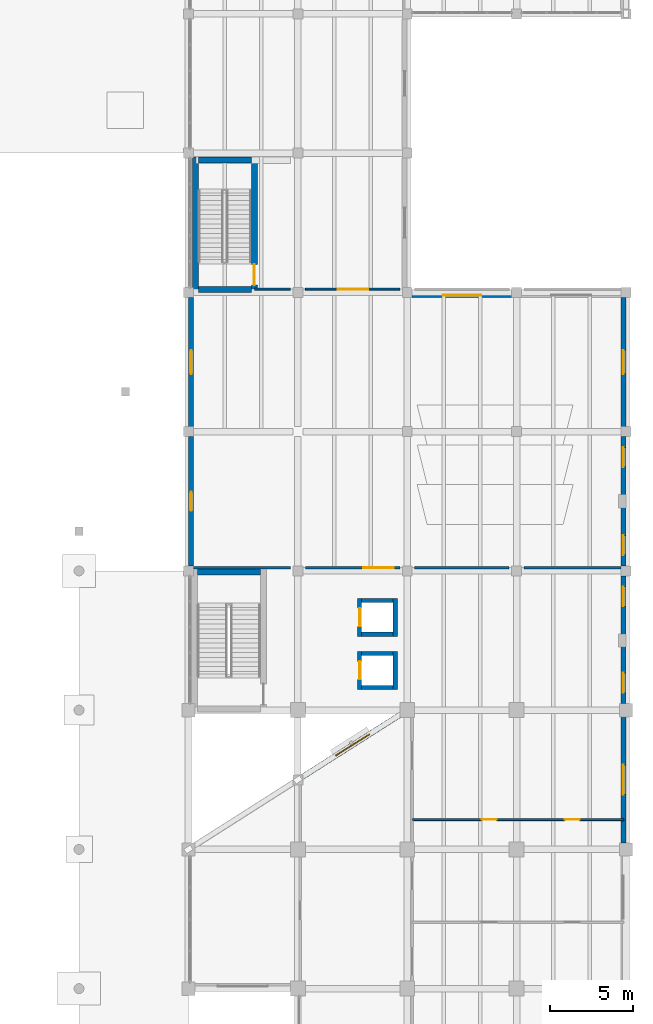
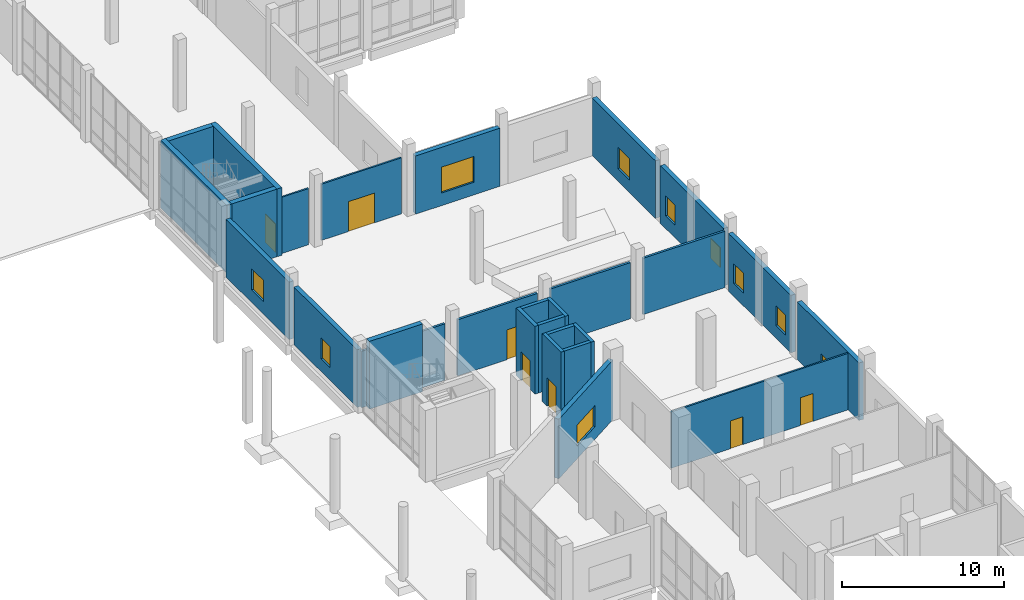
# One storey, part 48 of 64: 28 walls, 9 windows, 8 doors, 17 openings.
"""IFC4 building model written with IfcOpenShell, lengths in metres."""

from ifc_helpers import new_model, si_unit, direction, frame, frame_2d, origin, place, context, subcontext, project, spatial, rectangle, extrude, material, layer, layer_set, type_object, element, fill, save


model = new_model("IFC4")

# Units and contexts
model_context = context("Model", 3, precision=1e-05, world=origin(), true_north=direction((0.0, 1.0)))
body_context = subcontext(model_context, "Body", "Model", "MODEL_VIEW")
ifc_project = project(units=[si_unit("LENGTHUNIT", "METRE"), si_unit("AREAUNIT", "SQUARE_METRE"), si_unit("VOLUMEUNIT", "CUBIC_METRE"), si_unit("PLANEANGLEUNIT", "RADIAN"), si_unit("MASSUNIT", "GRAM", prefix="KILO")], contexts=[model_context])

# Site, building, storey
site_placement = place(None, origin())
site = spatial("IfcSite", under=ifc_project, at=site_placement, CompositionType="ELEMENT")
building_placement = place(site_placement, origin())
building = spatial("IfcBuilding", under=site, at=building_placement, Name="Qaldarim Faculty of Natural and Applied Sciences", CompositionType="ELEMENT")
storey_placement = place(building_placement, origin())
storey = spatial("IfcBuildingStorey", under=building, at=storey_placement, Name="L00", CompositionType="ELEMENT", Elevation=0.0)

# Wall
ifc_material_1 = material(Name="Painted gypsum partition board")
ifc_layer_1 = layer(ifc_material_1, 0.1201171875)
ifc_layer_set_1 = layer_set([ifc_layer_1], Name="Painted gypsum partition board")
wall_type_1 = type_object("IfcWallType", Name="AcousticPartition-120", PredefinedType="PARTITIONING", material=ifc_layer_set_1)
wall_1_placement = place(storey_placement, frame((155.800048828125, 84.199951171875, 0.0), z_axis=(0.0, 0.0, 1.0), x_axis=(1.0, 0.0, 0.0)))
element("IfcWall", 1, at=wall_1_placement, inside=storey, type_object=wall_type_1, Name="Interior partition PRT-L00-V3-EXHS-S1", PredefinedType="PARTITIONING", context=body_context, shape_type="SweptSolid", body=[
    extrude(rectangle(XDim=2.14990234375, YDim=0.1201171875, at=frame_2d((1.074951171875, 0.0))), origin(), (0.0, 0.0, 1.0), 4.235107421875),
])

# Wall, opening, door
wall_2_placement = place(storey_placement, frame((158.85009765625, 84.199951171875, 0.0), z_axis=(0.0, 0.0, 1.0), x_axis=(1.0, 0.0, 0.0)))
wall_2 = element("IfcWall", 2, at=wall_2_placement, inside=storey, type_object=wall_type_1, Name="Interior partition PRT-L00-V3-EXHS-S2", PredefinedType="PARTITIONING", context=body_context, shape_type="SweptSolid", body=[
    extrude(rectangle(XDim=5.699951171875, YDim=0.1201171875, at=frame_2d((2.85009765625, 0.0))), origin(), (0.0, 0.0, 1.0), 4.235107421875),
])
opening_1_placement = place(wall_2_placement, frame((1.949951171875, 0.0, 0.0)))
opening_1 = element("IfcOpeningElement", 3, at=opening_1_placement, cuts=wall_2, Name="Opening ID05", PredefinedType="OPENING", context=body_context, shape_type="SweptSolid", body=[
    extrude(rectangle(XDim=1.85009765625, YDim=2.25, at=frame_2d((0.925048828125, 1.125))), frame((0.0, 0.070068359375, 0.0), z_axis=(0.0, -1.0, 0.0), x_axis=(1.0, 0.0, 0.0)), (0.0, 0.0, 1.0), 0.14013671875),
])
ifc_material_2 = material(Name="Oak hardwood", Category="wood")
door_type_1 = type_object("IfcDoorType", Name="LectureDoubleDoor-1850x2250", OperationType="NOTDEFINED", PredefinedType="DOOR", material=ifc_material_2)
door_1_placement = place(opening_1_placement, origin())
door_1 = element("IfcDoor", 4, at=door_1_placement, inside=storey, type_object=door_type_1, Name="Interior door D-L00-176", OperationType="DOUBLE_DOOR_SINGLE_SWING", OverallHeight=2.25, OverallWidth=1.85009765625, PredefinedType="DOOR", context=body_context, shape_type="SweptSolid", body=[
    extrude(rectangle(XDim=1.85009765625, YDim=2.25, at=frame_2d((0.925048828125, 1.125))), frame((0.0, 0.02490234375, 0.0), z_axis=(0.0, -1.0, 0.0), x_axis=(1.0, 0.0, 0.0)), (0.0, 0.0, 1.0), 0.050048828125),
])
fill(opening_1, door_1)

# Wall, openings, doors
wall_3_placement = place(storey_placement, frame((165.300048828125, 52.199951171875, 0.0), z_axis=(0.0, 0.0, 1.0), x_axis=(1.0, 0.0, 0.0)))
wall_3 = element("IfcWall", 5, at=wall_3_placement, inside=storey, type_object=wall_type_1, Name="Interior partition PRT-L00-V5-SUB-3", PredefinedType="PARTITIONING", context=body_context, shape_type="SweptSolid", body=[
    extrude(rectangle(XDim=12.75, YDim=0.1201171875, at=frame_2d((6.375, 0.0))), origin(), (0.0, 0.0, 1.0), 4.25),
])
opening_2_placement = place(wall_3_placement, frame((4.199951171875, 0.0, 0.0)))
opening_2 = element("IfcOpeningElement", 6, at=opening_2_placement, cuts=wall_3, Name="Opening ID07", PredefinedType="OPENING", context=body_context, shape_type="SweptSolid", body=[
    extrude(rectangle(XDim=0.89990234375, YDim=2.10009765625, at=frame_2d((0.449951171875, 1.050048828125))), frame((0.0, 0.070068359375, 0.0), z_axis=(0.0, -1.0, 0.0), x_axis=(1.0, 0.0, 0.0)), (0.0, 0.0, 1.0), 0.14013671875),
])
opening_3_placement = place(wall_3_placement, frame((9.199951171875, 0.0, 0.0)))
opening_3 = element("IfcOpeningElement", 7, at=opening_3_placement, cuts=wall_3, Name="Opening ID07", PredefinedType="OPENING", context=body_context, shape_type="SweptSolid", body=[
    extrude(rectangle(XDim=0.89990234375, YDim=2.10009765625, at=frame_2d((0.449951171875, 1.050048828125))), frame((0.0, 0.070068359375, 0.0), z_axis=(0.0, -1.0, 0.0), x_axis=(1.0, 0.0, 0.0)), (0.0, 0.0, 1.0), 0.14013671875),
])
door_type_2 = type_object("IfcDoorType", Name="OfficeStudyDoor-900x2100", OperationType="NOTDEFINED", PredefinedType="DOOR", material=ifc_material_2)
door_2_placement = place(opening_2_placement, origin())
door_2 = element("IfcDoor", 8, at=door_2_placement, inside=storey, type_object=door_type_2, Name="Interior door D-L00-306", OperationType="SINGLE_SWING_LEFT", OverallHeight=2.10009765625, OverallWidth=0.89990234375, PredefinedType="DOOR", context=body_context, shape_type="SweptSolid", body=[
    extrude(rectangle(XDim=0.89990234375, YDim=2.10009765625, at=frame_2d((0.449951171875, 1.050048828125))), frame((0.0, 0.02490234375, 0.0), z_axis=(0.0, -1.0, 0.0), x_axis=(1.0, 0.0, 0.0)), (0.0, 0.0, 1.0), 0.050048828125),
])
fill(opening_2, door_2)
door_3_placement = place(opening_3_placement, origin())
door_3 = element("IfcDoor", 9, at=door_3_placement, inside=storey, type_object=door_type_2, Name="Interior door D-L00-307", OperationType="SINGLE_SWING_RIGHT", OverallHeight=2.10009765625, OverallWidth=0.89990234375, PredefinedType="DOOR", context=body_context, shape_type="SweptSolid", body=[
    extrude(rectangle(XDim=0.89990234375, YDim=2.10009765625, at=frame_2d((0.449951171875, 1.050048828125))), frame((0.0, 0.02490234375, 0.0), z_axis=(0.0, -1.0, 0.0), x_axis=(1.0, 0.0, 0.0)), (0.0, 0.0, 1.0), 0.050048828125),
])
fill(opening_3, door_3)

# Walls
ifc_material_3 = material(Name="Concrete C50/60", Category="concrete")
ifc_layer_2 = layer(ifc_material_3, 0.360107421875)
ifc_layer_set_2 = layer_set([ifc_layer_2], Name="Concrete C50/60")
wall_type_2 = type_object("IfcWallType", Name="CoreShearWall-360", PredefinedType="SHEAR", material=ifc_layer_set_2)
wall_4_placement = place(storey_placement, frame((152.35009765625, 67.1298828125, 0.0), z_axis=(0.0, 0.0, 1.0), x_axis=(1.0, 0.0, 0.0)))
element("IfcWall", 10, at=wall_4_placement, inside=storey, type_object=wall_type_2, Name="Core stair ST-C1 north shear wall L00", PredefinedType="SHEAR", context=body_context, shape_type="SweptSolid", body=[
    extrude(rectangle(XDim=3.7998046875, YDim=0.360107421875, at=frame_2d((1.89990234375, 0.0))), origin(), (0.0, 0.0, 1.0), 5.10009765625),
])
wall_5_placement = place(storey_placement, frame((152.219970703125, 83.989990234375, 0.0), z_axis=(0.0, 0.0, 1.0), x_axis=(0.0, 1.0, 0.0)))
element("IfcWall", 11, at=wall_5_placement, inside=storey, type_object=wall_type_2, Name="Core stair ST-C2 west shear wall L00", PredefinedType="SHEAR", context=body_context, shape_type="SweptSolid", body=[
    extrude(rectangle(XDim=8.169921875, YDim=0.360107421875, at=frame_2d((4.0849609375, 0.0))), origin(), (0.0, 0.0, 1.0), 5.10009765625),
])

# Wall, opening, door
wall_6_placement = place(storey_placement, frame((155.780029296875, 83.989990234375, 0.0), z_axis=(0.0, 0.0, 1.0), x_axis=(0.0, 1.0, 0.0)))
wall_6 = element("IfcWall", 12, at=wall_6_placement, inside=storey, type_object=wall_type_2, Name="Core stair ST-C2 east shear wall L00", PredefinedType="SHEAR", context=body_context, shape_type="SweptSolid", body=[
    extrude(rectangle(XDim=8.169921875, YDim=0.360107421875, at=frame_2d((4.0849609375, 0.0))), origin(), (0.0, 0.0, 1.0), 5.10009765625),
])
opening_4_placement = place(wall_6_placement, frame((0.449951171875, 0.0, 0.0)))
opening_4 = element("IfcOpeningElement", 13, at=opening_4_placement, cuts=wall_6, Name="Opening ID04", PredefinedType="OPENING", context=body_context, shape_type="SweptSolid", body=[
    extrude(rectangle(XDim=1.25, YDim=2.14990234375, at=frame_2d((0.625, 1.074951171875))), frame((0.0, 0.18994140625, 0.0), z_axis=(0.0, -1.0, 0.0), x_axis=(1.0, 0.0, 0.0)), (0.0, 0.0, 1.0), 0.380126953125),
])
ifc_material_4 = material(Name="Architectural stainless steel 316", Category="steel")
door_type_3 = type_object("IfcDoorType", Name="StairEnclosureFireDoor-1250x2150", OperationType="NOTDEFINED", PredefinedType="DOOR", material=ifc_material_4)
door_4_placement = place(opening_4_placement, origin())
door_4 = element("IfcDoor", 14, at=door_4_placement, inside=storey, type_object=door_type_3, Name="Protected stair ST-C2 fire door D-L00-544", OperationType="SINGLE_SWING_RIGHT", OverallHeight=2.14990234375, OverallWidth=1.25, PredefinedType="DOOR", context=body_context, shape_type="SweptSolid", body=[
    extrude(rectangle(XDim=1.25, YDim=2.14990234375, at=frame_2d((0.625, 1.074951171875))), frame((0.0, 0.02490234375, 0.0), z_axis=(0.0, -1.0, 0.0), x_axis=(1.0, 0.0, 0.0)), (0.0, 0.0, 1.0), 0.050048828125),
])
fill(opening_4, door_4)

# Walls
for number, where, z_axis, x_axis, name in (
    (15, (152.39990234375, 91.97998046875, 0.0), (0.0, 0.0, 1.0), (1.0, 0.0, 0.0), "Core stair ST-C2 north shear wall L00"),
    (16, (152.39990234375, 84.169921875, 0.0), (0.0, 0.0, 1.0), (1.0, 0.0, 0.0), "Core stair ST-C2 south shear wall L00"),
):
    element("IfcWall", number, at=place(storey_placement, frame(where, z_axis=z_axis, x_axis=x_axis)), inside=storey, type_object=wall_type_2, Name=name, PredefinedType="SHEAR", context=body_context, shape_type="SweptSolid", body=[
        extrude(rectangle(XDim=3.2001953125, YDim=0.360107421875, at=frame_2d((1.60009765625, 0.0))), origin(), (0.0, 0.0, 1.0), 5.10009765625),
    ])

# Wall, opening, window
ifc_material_5 = material(Name="Precast concrete C40/50", Category="concrete")
ifc_layer_3 = layer(ifc_material_5, 0.320068359375)
ifc_layer_set_3 = layer_set([ifc_layer_3], Name="Precast concrete C40/50")
wall_type_3 = type_object("IfcWallType", Name="ExteriorLimestoneWall-320", PredefinedType="SOLIDWALL", material=ifc_layer_set_3)
wall_7_placement = place(storey_placement, frame((151.9599609375, 75.304931640625, 0.0), z_axis=(0.0, 0.0, 1.0), x_axis=(0.0, -1.0, 0.0)))
wall_7 = element("IfcWall", 17, at=wall_7_placement, inside=storey, type_object=wall_type_3, Name="Exterior wall EW01 L00 W X24Y09", PredefinedType="SOLIDWALL", context=body_context, shape_type="SweptSolid", body=[
    extrude(rectangle(XDim=7.809814453125, YDim=0.320068359375, at=frame_2d((3.90478515625, 0.0))), origin(), (0.0, 0.0, 1.0), 4.3349609375),
])
opening_5_placement = place(wall_7_placement, frame((3.330078125, 0.0, 0.949951171875)))
opening_5 = element("IfcOpeningElement", 18, at=opening_5_placement, cuts=wall_7, Name="Opening WN31", PredefinedType="OPENING", context=body_context, shape_type="SweptSolid", body=[
    extrude(rectangle(XDim=1.14990234375, YDim=1.60009765625, at=frame_2d((0.574951171875, 0.800048828125))), frame((0.0, 0.169921875, 0.0), z_axis=(0.0, -1.0, 0.0), x_axis=(1.0, 0.0, 0.0)), (0.0, 0.0, 1.0), 0.340087890625),
])
ifc_material_6 = material(Name="Insulated low-e double glazing", Category="glass")
window_type_1 = type_object("IfcWindowType", Name="SeminarWindow-1150x1600", PartitioningType="SINGLE_PANEL", PredefinedType="WINDOW", material=ifc_material_6)
window_1_placement = place(opening_5_placement, origin())
window_1 = element("IfcWindow", 19, at=window_1_placement, inside=storey, type_object=window_type_1, Name="Facade window WN31 L00 W X24Y09", OverallHeight=1.60009765625, OverallWidth=1.14990234375, PartitioningType="SINGLE_PANEL", PredefinedType="WINDOW", context=body_context, shape_type="SweptSolid", body=[
    extrude(rectangle(XDim=1.14990234375, YDim=1.60009765625, at=frame_2d((0.574951171875, 0.800048828125))), frame((0.0, 0.030029296875, 0.0), z_axis=(0.0, -1.0, 0.0), x_axis=(1.0, 0.0, 0.0)), (0.0, 0.0, 1.0), 0.06005859375),
])
fill(opening_5, window_1)

wall_8_placement = place(storey_placement, frame((151.9599609375, 83.705078125, 0.0), z_axis=(0.0, 0.0, 1.0), x_axis=(0.0, -1.0, 0.0)))
wall_8 = element("IfcWall", 20, at=wall_8_placement, inside=storey, type_object=wall_type_3, Name="Exterior wall EW01 L00 W X24Y10", PredefinedType="SOLIDWALL", context=body_context, shape_type="SweptSolid", body=[
    extrude(rectangle(XDim=7.81005859375, YDim=0.320068359375, at=frame_2d((3.905029296875, 0.0))), origin(), (0.0, 0.0, 1.0), 4.3349609375),
])
opening_6_placement = place(wall_8_placement, frame((3.179931640625, 0.0, 0.949951171875)))
opening_6 = element("IfcOpeningElement", 21, at=opening_6_placement, cuts=wall_8, Name="Opening WN32", PredefinedType="OPENING", context=body_context, shape_type="SweptSolid", body=[
    extrude(rectangle(XDim=1.449951171875, YDim=1.60009765625, at=frame_2d((0.72509765625, 0.800048828125))), frame((0.0, 0.169921875, 0.0), z_axis=(0.0, -1.0, 0.0), x_axis=(1.0, 0.0, 0.0)), (0.0, 0.0, 1.0), 0.340087890625),
])
window_type_2 = type_object("IfcWindowType", Name="SeminarWindow-1450x1600", PartitioningType="DOUBLE_PANEL_VERTICAL", PredefinedType="WINDOW", material=ifc_material_6)
window_2_placement = place(opening_6_placement, origin())
window_2 = element("IfcWindow", 22, at=window_2_placement, inside=storey, type_object=window_type_2, Name="Facade window WN32 L00 W X24Y10", OverallHeight=1.60009765625, OverallWidth=1.449951171875, PartitioningType="SINGLE_PANEL", PredefinedType="WINDOW", context=body_context, shape_type="SweptSolid", body=[
    extrude(rectangle(XDim=1.449951171875, YDim=1.60009765625, at=frame_2d((0.72509765625, 0.800048828125))), frame((0.0, 0.030029296875, 0.0), z_axis=(0.0, -1.0, 0.0), x_axis=(1.0, 0.0, 0.0)), (0.0, 0.0, 1.0), 0.06005859375),
])
fill(opening_6, window_2)

wall_9_placement = place(storey_placement, frame((171.304931640625, 83.840087890625, 0.0), z_axis=(0.0, 0.0, 1.0), x_axis=(-1.0, 0.0, 0.0)))
wall_9 = element("IfcWall", 23, at=wall_9_placement, inside=storey, type_object=wall_type_3, Name="Exterior wall EW01 L00 N X26Y10", PredefinedType="SOLIDWALL", context=body_context, shape_type="SweptSolid", body=[
    extrude(rectangle(XDim=6.010009765625, YDim=0.320068359375, at=frame_2d((3.0048828125, 0.0))), origin(), (0.0, 0.0, 1.0), 4.385009765625),
])
opening_7_placement = place(wall_9_placement, frame((1.85498046875, 0.0, 0.949951171875)))
opening_7 = element("IfcOpeningElement", 24, at=opening_7_placement, cuts=wall_9, Name="Opening WN28", PredefinedType="OPENING", context=body_context, shape_type="SweptSolid", body=[
    extrude(rectangle(XDim=2.300048828125, YDim=1.949951171875, at=frame_2d((1.14990234375, 0.97509765625))), frame((0.0, 0.169921875, 0.0), z_axis=(0.0, -1.0, 0.0), x_axis=(1.0, 0.0, 0.0)), (0.0, 0.0, 1.0), 0.340087890625),
])
window_type_3 = type_object("IfcWindowType", Name="GalleryWindow-2300x1950", PartitioningType="TRIPLE_PANEL_VERTICAL", PredefinedType="WINDOW", material=ifc_material_6)
window_3_placement = place(opening_7_placement, origin())
window_3 = element("IfcWindow", 25, at=window_3_placement, inside=storey, type_object=window_type_3, Name="Facade window WN28 L00 N X26Y10", OverallHeight=1.949951171875, OverallWidth=2.300048828125, PartitioningType="SINGLE_PANEL", PredefinedType="WINDOW", context=body_context, shape_type="SweptSolid", body=[
    extrude(rectangle(XDim=2.300048828125, YDim=1.949951171875, at=frame_2d((1.14990234375, 0.97509765625))), frame((0.0, 0.030029296875, 0.0), z_axis=(0.0, -1.0, 0.0), x_axis=(1.0, 0.0, 0.0)), (0.0, 0.0, 1.0), 0.06005859375),
])
fill(opening_7, window_3)

# Wall, opening, door
wall_10_placement = place(storey_placement, frame((178.0400390625, 50.794921875, 0.0), z_axis=(0.0, 0.0, 1.0), x_axis=(0.0, 1.0, 0.0)))
wall_10 = element("IfcWall", 26, at=wall_10_placement, inside=storey, type_object=wall_type_3, Name="Exterior wall EW01 L00 E X27Y07", PredefinedType="SOLIDWALL", context=body_context, shape_type="SweptSolid", body=[
    extrude(rectangle(XDim=7.610107421875, YDim=0.320068359375, at=frame_2d((3.80517578125, 0.0))), origin(), (0.0, 0.0, 1.0), 4.3349609375),
])
opening_8_placement = place(wall_10_placement, frame((2.905029296875, 0.0, 0.0)))
opening_8 = element("IfcOpeningElement", 27, at=opening_8_placement, cuts=wall_10, Name="Opening ED04", PredefinedType="OPENING", context=body_context, shape_type="SweptSolid", body=[
    extrude(rectangle(XDim=1.800048828125, YDim=2.199951171875, at=frame_2d((0.89990234375, 1.10009765625))), frame((0.0, 0.169921875, 0.0), z_axis=(0.0, -1.0, 0.0), x_axis=(1.0, 0.0, 0.0)), (0.0, 0.0, 1.0), 0.340087890625),
])
door_type_4 = type_object("IfcDoorType", Name="FinalExitDoubleDoor-1800x2200", OperationType="NOTDEFINED", PredefinedType="DOOR", material=ifc_material_4)
door_5_placement = place(opening_8_placement, frame((1.800048828125, 0.0, 0.0), z_axis=(0.0, 0.0, 1.0), x_axis=(-1.0, 0.0, 0.0)))
door_5 = element("IfcDoor", 28, at=door_5_placement, inside=storey, type_object=door_type_4, Name="Exterior entrance/exit door D-L00-018", OperationType="DOUBLE_DOOR_SINGLE_SWING", OverallHeight=2.199951171875, OverallWidth=1.800048828125, PredefinedType="DOOR", context=body_context, shape_type="SweptSolid", body=[
    extrude(rectangle(XDim=1.800048828125, YDim=2.199951171875, at=frame_2d((0.89990234375, 1.10009765625))), frame((0.0, 0.02490234375, 0.0), z_axis=(0.0, -1.0, 0.0), x_axis=(1.0, 0.0, 0.0)), (0.0, 0.0, 1.0), 0.050048828125),
])
fill(opening_8, door_5)

# Wall, openings, windows
wall_11_placement = place(storey_placement, frame((178.0400390625, 59.195068359375, 0.0), z_axis=(0.0, 0.0, 1.0), x_axis=(0.0, 1.0, 0.0)))
wall_11 = element("IfcWall", 29, at=wall_11_placement, inside=storey, type_object=wall_type_3, Name="Exterior wall EW01 L00 E X27Y08", PredefinedType="SOLIDWALL", context=body_context, shape_type="SweptSolid", body=[
    extrude(rectangle(XDim=7.7099609375, YDim=0.320068359375, at=frame_2d((3.85498046875, 0.0))), origin(), (0.0, 0.0, 1.0), 4.3349609375),
])
opening_9_placement = place(wall_11_placement, frame((0.64990234375, 0.0, 0.949951171875)))
opening_9 = element("IfcOpeningElement", 30, at=opening_9_placement, cuts=wall_11, Name="Opening WN01", PredefinedType="OPENING", context=body_context, shape_type="SweptSolid", body=[
    extrude(rectangle(XDim=1.199951171875, YDim=1.5, at=frame_2d((0.60009765625, 0.75))), frame((0.0, 0.169921875, 0.0), z_axis=(0.0, -1.0, 0.0), x_axis=(1.0, 0.0, 0.0)), (0.0, 0.0, 1.0), 0.340087890625),
])
opening_10_placement = place(wall_11_placement, frame((5.860107421875, 0.0, 0.949951171875)))
opening_10 = element("IfcOpeningElement", 31, at=opening_10_placement, cuts=wall_11, Name="Opening WN01", PredefinedType="OPENING", context=body_context, shape_type="SweptSolid", body=[
    extrude(rectangle(XDim=1.199951171875, YDim=1.5, at=frame_2d((0.60009765625, 0.75))), frame((0.0, 0.169921875, 0.0), z_axis=(0.0, -1.0, 0.0), x_axis=(1.0, 0.0, 0.0)), (0.0, 0.0, 1.0), 0.340087890625),
])
window_type_4 = type_object("IfcWindowType", Name="Window-1200x1500", PartitioningType="SINGLE_PANEL", PredefinedType="WINDOW", material=ifc_material_6)
window_4_placement = place(opening_9_placement, origin())
window_4 = element("IfcWindow", 32, at=window_4_placement, inside=storey, type_object=window_type_4, Name="Pilaster-bay flanking window L00 E X27Y08-1", OverallHeight=1.5, OverallWidth=1.199951171875, PartitioningType="SINGLE_PANEL", PredefinedType="WINDOW", context=body_context, shape_type="SweptSolid", body=[
    extrude(rectangle(XDim=1.199951171875, YDim=1.5, at=frame_2d((0.60009765625, 0.75))), frame((0.0, 0.030029296875, 0.0), z_axis=(0.0, -1.0, 0.0), x_axis=(1.0, 0.0, 0.0)), (0.0, 0.0, 1.0), 0.06005859375),
])
fill(opening_9, window_4)
window_5_placement = place(opening_10_placement, origin())
window_5 = element("IfcWindow", 33, at=window_5_placement, inside=storey, type_object=window_type_4, Name="Pilaster-bay flanking window L00 E X27Y08-2", OverallHeight=1.5, OverallWidth=1.199951171875, PartitioningType="SINGLE_PANEL", PredefinedType="WINDOW", context=body_context, shape_type="SweptSolid", body=[
    extrude(rectangle(XDim=1.199951171875, YDim=1.5, at=frame_2d((0.60009765625, 0.75))), frame((0.0, 0.030029296875, 0.0), z_axis=(0.0, -1.0, 0.0), x_axis=(1.0, 0.0, 0.0)), (0.0, 0.0, 1.0), 0.06005859375),
])
fill(opening_10, window_5)

wall_12_placement = place(storey_placement, frame((178.0400390625, 67.4951171875, 0.0), z_axis=(0.0, 0.0, 1.0), x_axis=(0.0, 1.0, 0.0)))
wall_12 = element("IfcWall", 34, at=wall_12_placement, inside=storey, type_object=wall_type_3, Name="Exterior wall EW01 L00 E X27Y09", PredefinedType="SOLIDWALL", context=body_context, shape_type="SweptSolid", body=[
    extrude(rectangle(XDim=7.809814453125, YDim=0.320068359375, at=frame_2d((3.90478515625, 0.0))), origin(), (0.0, 0.0, 1.0), 4.3349609375),
])
opening_11_placement = place(wall_12_placement, frame((0.64990234375, 0.0, 0.949951171875)))
opening_11 = element("IfcOpeningElement", 35, at=opening_11_placement, cuts=wall_12, Name="Opening WN01", PredefinedType="OPENING", context=body_context, shape_type="SweptSolid", body=[
    extrude(rectangle(XDim=1.199951171875, YDim=1.5, at=frame_2d((0.60009765625, 0.75))), frame((0.0, 0.169921875, 0.0), z_axis=(0.0, -1.0, 0.0), x_axis=(1.0, 0.0, 0.0)), (0.0, 0.0, 1.0), 0.340087890625),
])
opening_12_placement = place(wall_12_placement, frame((5.9599609375, 0.0, 0.949951171875)))
opening_12 = element("IfcOpeningElement", 36, at=opening_12_placement, cuts=wall_12, Name="Opening WN01", PredefinedType="OPENING", context=body_context, shape_type="SweptSolid", body=[
    extrude(rectangle(XDim=1.199951171875, YDim=1.5, at=frame_2d((0.60009765625, 0.75))), frame((0.0, 0.169921875, 0.0), z_axis=(0.0, -1.0, 0.0), x_axis=(1.0, 0.0, 0.0)), (0.0, 0.0, 1.0), 0.340087890625),
])
window_6_placement = place(opening_11_placement, origin())
window_6 = element("IfcWindow", 37, at=window_6_placement, inside=storey, type_object=window_type_4, Name="Pilaster-bay flanking window L00 E X27Y09-1", OverallHeight=1.5, OverallWidth=1.199951171875, PartitioningType="SINGLE_PANEL", PredefinedType="WINDOW", context=body_context, shape_type="SweptSolid", body=[
    extrude(rectangle(XDim=1.199951171875, YDim=1.5, at=frame_2d((0.60009765625, 0.75))), frame((0.0, 0.030029296875, 0.0), z_axis=(0.0, -1.0, 0.0), x_axis=(1.0, 0.0, 0.0)), (0.0, 0.0, 1.0), 0.06005859375),
])
fill(opening_11, window_6)
window_7_placement = place(opening_12_placement, origin())
window_7 = element("IfcWindow", 38, at=window_7_placement, inside=storey, type_object=window_type_4, Name="Pilaster-bay flanking window L00 E X27Y09-2", OverallHeight=1.5, OverallWidth=1.199951171875, PartitioningType="SINGLE_PANEL", PredefinedType="WINDOW", context=body_context, shape_type="SweptSolid", body=[
    extrude(rectangle(XDim=1.199951171875, YDim=1.5, at=frame_2d((0.60009765625, 0.75))), frame((0.0, 0.030029296875, 0.0), z_axis=(0.0, -1.0, 0.0), x_axis=(1.0, 0.0, 0.0)), (0.0, 0.0, 1.0), 0.06005859375),
])
fill(opening_12, window_7)

# Wall, opening, window
wall_13_placement = place(storey_placement, frame((178.0400390625, 75.89501953125, 0.0), z_axis=(0.0, 0.0, 1.0), x_axis=(0.0, 1.0, 0.0)))
wall_13 = element("IfcWall", 39, at=wall_13_placement, inside=storey, type_object=wall_type_3, Name="Exterior wall EW01 L00 E X27Y10", PredefinedType="SOLIDWALL", context=body_context, shape_type="SweptSolid", body=[
    extrude(rectangle(XDim=7.81005859375, YDim=0.320068359375, at=frame_2d((3.905029296875, 0.0))), origin(), (0.0, 0.0, 1.0), 4.3349609375),
])
opening_13_placement = place(wall_13_placement, frame((3.179931640625, 0.0, 0.949951171875)))
opening_13 = element("IfcOpeningElement", 40, at=opening_13_placement, cuts=wall_13, Name="Opening WN32", PredefinedType="OPENING", context=body_context, shape_type="SweptSolid", body=[
    extrude(rectangle(XDim=1.449951171875, YDim=1.60009765625, at=frame_2d((0.72509765625, 0.800048828125))), frame((0.0, 0.169921875, 0.0), z_axis=(0.0, -1.0, 0.0), x_axis=(1.0, 0.0, 0.0)), (0.0, 0.0, 1.0), 0.340087890625),
])
window_8_placement = place(opening_13_placement, origin())
window_8 = element("IfcWindow", 41, at=window_8_placement, inside=storey, type_object=window_type_2, Name="Facade window WN32 L00 E X27Y10", OverallHeight=1.60009765625, OverallWidth=1.449951171875, PartitioningType="SINGLE_PANEL", PredefinedType="WINDOW", context=body_context, shape_type="SweptSolid", body=[
    extrude(rectangle(XDim=1.449951171875, YDim=1.60009765625, at=frame_2d((0.72509765625, 0.800048828125))), frame((0.0, 0.030029296875, 0.0), z_axis=(0.0, -1.0, 0.0), x_axis=(1.0, 0.0, 0.0)), (0.0, 0.0, 1.0), 0.06005859375),
])
fill(opening_13, window_8)

wall_14_placement = place(storey_placement, frame((158.64990234375, 54.760009765625, 0.0), z_axis=(0.0, 0.0, 1.0), x_axis=(0.843786613851, 0.536678814829, 0.0)))
wall_14 = element("IfcWall", 42, at=wall_14_placement, inside=storey, type_object=wall_type_3, Name="Oblique NW chamfer fenestrated wall L00 2", PredefinedType="SOLIDWALL", context=body_context, shape_type="SweptSolid", body=[
    extrude(rectangle(XDim=7.2294921875, YDim=0.320068359375, at=frame_2d((3.61474609375, 0.0))), origin(), (0.0, 0.0, 1.0), 4.485107421875),
])
opening_14_placement = place(wall_14_placement, frame((2.4150390625, 0.0, 0.949951171875)))
opening_14 = element("IfcOpeningElement", 43, at=opening_14_placement, cuts=wall_14, Name="Opening WN03", PredefinedType="OPENING", context=body_context, shape_type="SweptSolid", body=[
    extrude(rectangle(XDim=2.39990234375, YDim=1.60009765625, at=frame_2d((1.199951171875, 0.800048828125))), frame((0.0, 0.169921875, 0.0), z_axis=(0.0, -1.0, 0.0), x_axis=(1.0, 0.0, 0.0)), (0.0, 0.0, 1.0), 0.340087890625),
])
window_type_5 = type_object("IfcWindowType", Name="Window-2400x1600", PartitioningType="TRIPLE_PANEL_VERTICAL", PredefinedType="WINDOW", material=ifc_material_6)
window_9_placement = place(opening_14_placement, origin())
window_9 = element("IfcWindow", 44, at=window_9_placement, inside=storey, type_object=window_type_5, Name="Oblique NW chamfer window L00 2", OverallHeight=1.60009765625, OverallWidth=2.39990234375, PartitioningType="SINGLE_PANEL", PredefinedType="WINDOW", context=body_context, shape_type="SweptSolid", body=[
    extrude(rectangle(XDim=2.39990234375, YDim=1.60009765625, at=frame_2d((1.199951171875, 0.800048828125))), frame((0.0, 0.030029296875, 0.0), z_axis=(0.0, -1.0, 0.0), x_axis=(1.0, 0.0, 0.0)), (0.0, 0.0, 1.0), 0.06005859375),
])
fill(opening_14, window_9)

# Wall
ifc_material_7 = material(Name="Concrete C40/50", Category="concrete")
ifc_layer_4 = layer(ifc_material_7, 0.159912109375)
ifc_layer_set_4 = layer_set([ifc_layer_4], Name="Concrete C40/50")
wall_type_4 = type_object("IfcWallType", Name="FireCorridorWall-160", PredefinedType="PARTITIONING", material=ifc_layer_set_4)
wall_15_placement = place(storey_placement, frame((152.0, 67.39990234375, 0.0), z_axis=(0.0, 0.0, 1.0), x_axis=(1.0, 0.0, 0.0)))
element("IfcWall", 45, at=wall_15_placement, inside=storey, type_object=wall_type_4, Name="Interior partition PRT-L00-V3-RDRS-S1", PredefinedType="PARTITIONING", context=body_context, shape_type="SweptSolid", body=[
    extrude(rectangle(XDim=5.949951171875, YDim=0.159912109375, at=frame_2d((2.97509765625, 0.0))), origin(), (0.0, 0.0, 1.0), 4.25),
])

# Wall, opening, door
wall_16_placement = place(storey_placement, frame((158.85009765625, 67.39990234375, 0.0), z_axis=(0.0, 0.0, 1.0), x_axis=(1.0, 0.0, 0.0)))
wall_16 = element("IfcWall", 46, at=wall_16_placement, inside=storey, type_object=wall_type_4, Name="Interior partition PRT-L00-V3-RDRS-S2", PredefinedType="PARTITIONING", context=body_context, shape_type="SweptSolid", body=[
    extrude(rectangle(XDim=5.699951171875, YDim=0.159912109375, at=frame_2d((2.85009765625, 0.0))), origin(), (0.0, 0.0, 1.0), 4.235107421875),
])
opening_15_placement = place(wall_16_placement, frame((3.5, 0.0, 0.0)))
opening_15 = element("IfcOpeningElement", 47, at=opening_15_placement, cuts=wall_16, Name="Opening ID05", PredefinedType="OPENING", context=body_context, shape_type="SweptSolid", body=[
    extrude(rectangle(XDim=1.85009765625, YDim=2.25, at=frame_2d((0.925048828125, 1.125))), frame((0.0, 0.08984375, 0.0), z_axis=(0.0, -1.0, 0.0), x_axis=(1.0, 0.0, 0.0)), (0.0, 0.0, 1.0), 0.179931640625),
])
door_6_placement = place(opening_15_placement, origin())
door_6 = element("IfcDoor", 48, at=door_6_placement, inside=storey, type_object=door_type_1, Name="Interior door D-L00-175", OperationType="DOUBLE_DOOR_SINGLE_SWING", OverallHeight=2.25, OverallWidth=1.85009765625, PredefinedType="DOOR", context=body_context, shape_type="SweptSolid", body=[
    extrude(rectangle(XDim=1.85009765625, YDim=2.25, at=frame_2d((0.925048828125, 1.125))), frame((0.0, 0.02490234375, 0.0), z_axis=(0.0, -1.0, 0.0), x_axis=(1.0, 0.0, 0.0)), (0.0, 0.0, 1.0), 0.050048828125),
])
fill(opening_15, door_6)

# Walls
wall_17_placement = place(storey_placement, frame((165.449951171875, 67.39990234375, 0.0), z_axis=(0.0, 0.0, 1.0), x_axis=(1.0, 0.0, 0.0)))
element("IfcWall", 49, at=wall_17_placement, inside=storey, type_object=wall_type_4, Name="Interior partition PRT-L00-V3-RDRS-S3", PredefinedType="PARTITIONING", context=body_context, shape_type="SweptSolid", body=[
    extrude(rectangle(XDim=5.699951171875, YDim=0.159912109375, at=frame_2d((2.85009765625, 0.0))), origin(), (0.0, 0.0, 1.0), 4.235107421875),
])
wall_18_placement = place(storey_placement, frame((172.050048828125, 67.39990234375, 0.0), z_axis=(0.0, 0.0, 1.0), x_axis=(1.0, 0.0, 0.0)))
element("IfcWall", 50, at=wall_18_placement, inside=storey, type_object=wall_type_4, Name="Interior partition PRT-L00-V3-RDRS-S4", PredefinedType="PARTITIONING", context=body_context, shape_type="SweptSolid", body=[
    extrude(rectangle(XDim=5.829833984375, YDim=0.159912109375, at=frame_2d((2.9150390625, 0.0))), origin(), (0.0, 0.0, 1.0), 4.235107421875),
])

# Wall, opening, door
ifc_layer_5 = layer(ifc_material_7, 0.25)
ifc_layer_set_5 = layer_set([ifc_layer_5], Name="Concrete C40/50")
wall_type_5 = type_object("IfcWallType", Name="LiftShaftWall-250", PredefinedType="SHEAR", material=ifc_layer_set_5)
wall_19_placement = place(storey_placement, frame((162.125, 60.050048828125, 0.0), z_axis=(0.0, 0.0, 1.0), x_axis=(0.0, 1.0, 0.0)))
wall_19 = element("IfcWall", 51, at=wall_19_placement, inside=storey, type_object=wall_type_5, Name="Lift LF-C1 front shaft wall L00", PredefinedType="SHEAR", context=body_context, shape_type="SweptSolid", body=[
    extrude(rectangle(XDim=2.300048828125, YDim=0.25, at=frame_2d((1.14990234375, 0.0))), origin(), (0.0, 0.0, 1.0), 5.10009765625),
])
opening_16_placement = place(wall_19_placement, frame((0.60009765625, 0.0, 0.0)))
opening_16 = element("IfcOpeningElement", 52, at=opening_16_placement, cuts=wall_19, Name="Opening LD01", PredefinedType="OPENING", context=body_context, shape_type="SweptSolid", body=[
    extrude(rectangle(XDim=1.10009765625, YDim=2.14990234375, at=frame_2d((0.550048828125, 1.074951171875))), frame((0.0, 0.135009765625, 0.0), z_axis=(0.0, -1.0, 0.0), x_axis=(1.0, 0.0, 0.0)), (0.0, 0.0, 1.0), 0.27001953125),
])
door_type_5 = type_object("IfcDoorType", Name="LiftLandingSlidingDoor-1100x2150", OperationType="NOTDEFINED", PredefinedType="DOOR", material=ifc_material_4)
door_7_placement = place(opening_16_placement, origin())
door_7 = element("IfcDoor", 53, at=door_7_placement, inside=storey, type_object=door_type_5, Name="Lift landing sliding door LF-C1 D-L00-651", OperationType="SLIDING_TO_LEFT", OverallHeight=2.14990234375, OverallWidth=1.10009765625, PredefinedType="DOOR", context=body_context, shape_type="SweptSolid", body=[
    extrude(rectangle(XDim=1.10009765625, YDim=2.14990234375, at=frame_2d((0.550048828125, 1.074951171875))), frame((0.0, 0.02490234375, 0.0), z_axis=(0.0, -1.0, 0.0), x_axis=(1.0, 0.0, 0.0)), (0.0, 0.0, 1.0), 0.050048828125),
])
fill(opening_16, door_7)

# Walls
wall_20_placement = place(storey_placement, frame((164.27490234375, 60.050048828125, 0.0), z_axis=(0.0, 0.0, 1.0), x_axis=(0.0, 1.0, 0.0)))
element("IfcWall", 54, at=wall_20_placement, inside=storey, type_object=wall_type_5, Name="Lift LF-C1 rear shaft wall L00", PredefinedType="SHEAR", context=body_context, shape_type="SweptSolid", body=[
    extrude(rectangle(XDim=2.300048828125, YDim=0.25, at=frame_2d((1.14990234375, 0.0))), origin(), (0.0, 0.0, 1.0), 5.10009765625),
])
for number, where, z_axis, x_axis, name in (
    (55, (162.25, 60.175048828125, 0.0), (0.0, 0.0, 1.0), (1.0, 0.0, 0.0), "Lift LF-C1 south shaft wall L00"),
    (56, (162.25, 62.22509765625, 0.0), (0.0, 0.0, 1.0), (1.0, 0.0, 0.0), "Lift LF-C1 north shaft wall L00"),
):
    element("IfcWall", number, at=place(storey_placement, frame(where, z_axis=z_axis, x_axis=x_axis)), inside=storey, type_object=wall_type_5, Name=name, PredefinedType="SHEAR", context=body_context, shape_type="SweptSolid", body=[
        extrude(rectangle(XDim=1.89990234375, YDim=0.25, at=frame_2d((0.949951171875, 0.0))), origin(), (0.0, 0.0, 1.0), 5.10009765625),
    ])

# Wall, opening, door
wall_21_placement = place(storey_placement, frame((162.125, 63.25, 0.0), z_axis=(0.0, 0.0, 1.0), x_axis=(0.0, 1.0, 0.0)))
wall_21 = element("IfcWall", 57, at=wall_21_placement, inside=storey, type_object=wall_type_5, Name="Lift LF-C2 front shaft wall L00", PredefinedType="SHEAR", context=body_context, shape_type="SweptSolid", body=[
    extrude(rectangle(XDim=2.300048828125, YDim=0.25, at=frame_2d((1.14990234375, 0.0))), origin(), (0.0, 0.0, 1.0), 5.10009765625),
])
opening_17_placement = place(wall_21_placement, frame((0.60009765625, 0.0, 0.0)))
opening_17 = element("IfcOpeningElement", 58, at=opening_17_placement, cuts=wall_21, Name="Opening LD01", PredefinedType="OPENING", context=body_context, shape_type="SweptSolid", body=[
    extrude(rectangle(XDim=1.10009765625, YDim=2.14990234375, at=frame_2d((0.550048828125, 1.074951171875))), frame((0.0, 0.135009765625, 0.0), z_axis=(0.0, -1.0, 0.0), x_axis=(1.0, 0.0, 0.0)), (0.0, 0.0, 1.0), 0.27001953125),
])
door_8_placement = place(opening_17_placement, origin())
door_8 = element("IfcDoor", 59, at=door_8_placement, inside=storey, type_object=door_type_5, Name="Lift landing sliding door LF-C2 D-L00-657", OperationType="SLIDING_TO_LEFT", OverallHeight=2.14990234375, OverallWidth=1.10009765625, PredefinedType="DOOR", context=body_context, shape_type="SweptSolid", body=[
    extrude(rectangle(XDim=1.10009765625, YDim=2.14990234375, at=frame_2d((0.550048828125, 1.074951171875))), frame((0.0, 0.02490234375, 0.0), z_axis=(0.0, -1.0, 0.0), x_axis=(1.0, 0.0, 0.0)), (0.0, 0.0, 1.0), 0.050048828125),
])
fill(opening_17, door_8)

# Walls
wall_22_placement = place(storey_placement, frame((164.27490234375, 63.25, 0.0), z_axis=(0.0, 0.0, 1.0), x_axis=(0.0, 1.0, 0.0)))
element("IfcWall", 60, at=wall_22_placement, inside=storey, type_object=wall_type_5, Name="Lift LF-C2 rear shaft wall L00", PredefinedType="SHEAR", context=body_context, shape_type="SweptSolid", body=[
    extrude(rectangle(XDim=2.300048828125, YDim=0.25, at=frame_2d((1.14990234375, 0.0))), origin(), (0.0, 0.0, 1.0), 5.10009765625),
])
for number, where, z_axis, x_axis, name in (
    (61, (162.25, 63.375, 0.0), (0.0, 0.0, 1.0), (1.0, 0.0, 0.0), "Lift LF-C2 south shaft wall L00"),
    (62, (162.25, 65.425048828125, 0.0), (0.0, 0.0, 1.0), (1.0, 0.0, 0.0), "Lift LF-C2 north shaft wall L00"),
):
    element("IfcWall", number, at=place(storey_placement, frame(where, z_axis=z_axis, x_axis=x_axis)), inside=storey, type_object=wall_type_5, Name=name, PredefinedType="SHEAR", context=body_context, shape_type="SweptSolid", body=[
        extrude(rectangle(XDim=1.89990234375, YDim=0.25, at=frame_2d((0.949951171875, 0.0))), origin(), (0.0, 0.0, 1.0), 5.10009765625),
    ])

save(model, "model.ifc")
